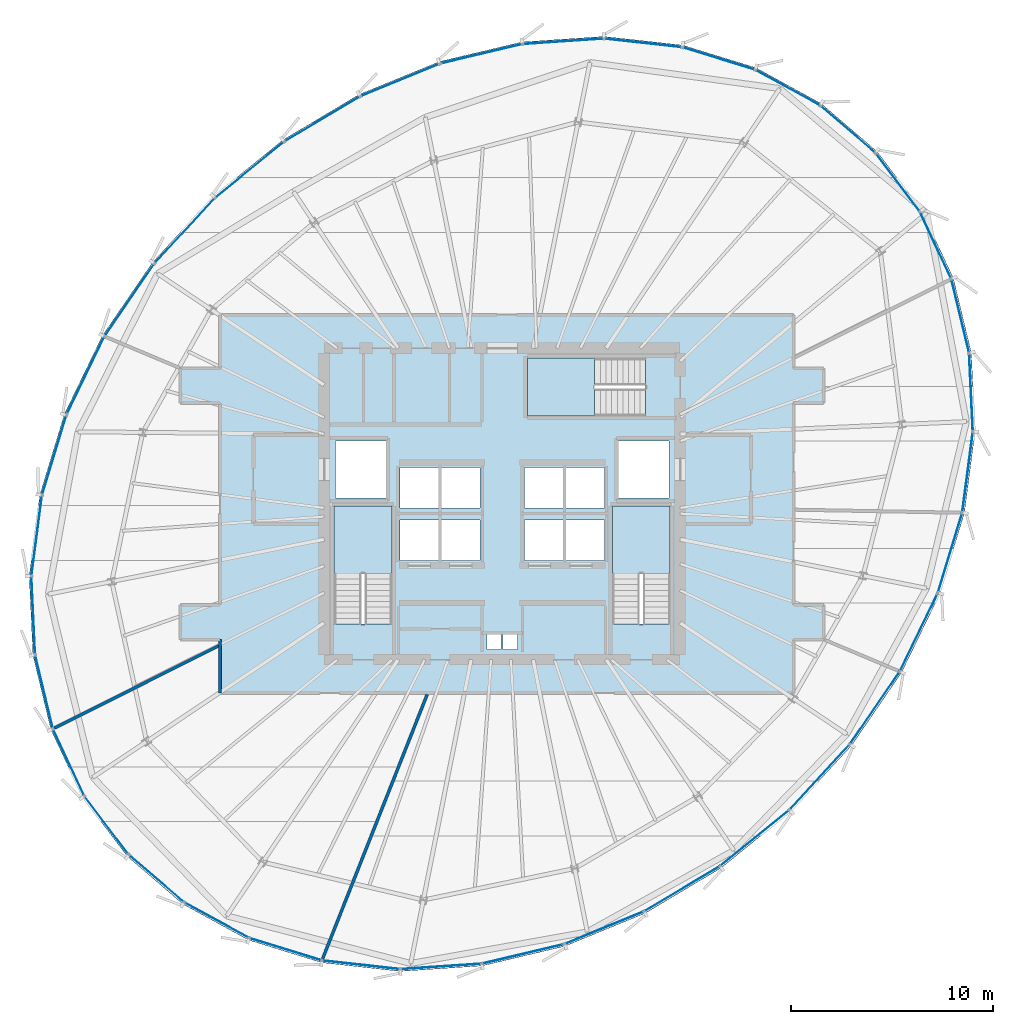
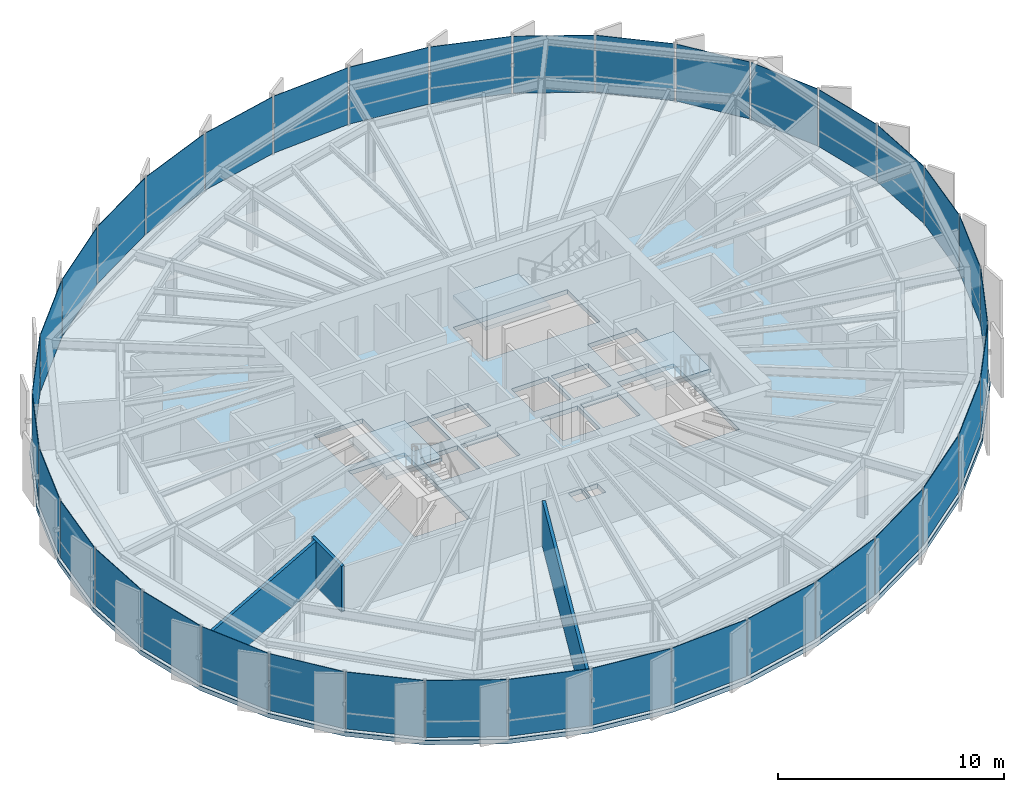
# One storey, part 28 of 34: 36 plates, 4 slabs, 3 walls, 9 elements without a shape of their own.
"""IFC4 building model written with IfcOpenShell, lengths in metres."""

from ifc_helpers import new_model, si_unit, direction, frame, frame_2d, origin, origin_2d, place, context, subcontext, project, spatial, polyline, rectangle, outline, extrude, source, transform, mapped, material, layer, layer_set, type_object, element, aggregate, save


model = new_model("IFC4")

# Units and contexts
model_context = context("Model", 3, precision=1e-05, world=origin(), true_north=direction((0.0, 1.0)))
body_context = subcontext(model_context, "Body", "Model", "MODEL_VIEW")
ifc_project = project(units=[si_unit("LENGTHUNIT", "METRE"), si_unit("AREAUNIT", "SQUARE_METRE"), si_unit("VOLUMEUNIT", "CUBIC_METRE"), si_unit("PLANEANGLEUNIT", "RADIAN"), si_unit("MASSUNIT", "GRAM", prefix="KILO"), si_unit("THERMODYNAMICTEMPERATUREUNIT", "KELVIN")], contexts=[model_context])

# Site, building, storey
site_placement = place(None, origin())
site = spatial("IfcSite", under=ifc_project, at=site_placement, CompositionType="ELEMENT")
building_placement = place(site_placement, origin())
building = spatial("IfcBuilding", under=site, at=building_placement, Name="Kethvar Cultural Tower", CompositionType="ELEMENT")
storey_placement = place(building_placement, frame((0.0, 0.0, 207.89990234375)))
storey = spatial("IfcBuildingStorey", under=building, at=storey_placement, Name="L54", CompositionType="ELEMENT", Elevation=207.89990234375)

# Stair, slab
ifc_material_1 = material(Name="Concrete C40/50", Category="concrete")
stair_type = type_object("IfcStairType", Name="ST-DOGLEG-135", PredefinedType="HALF_TURN_STAIR", material=ifc_material_1)
stair_1_placement = place(storey_placement, origin())
stair_1 = element("IfcStair", 1, at=stair_1_placement, inside=storey, type_object=stair_type, Name="L54 Core Exit Stair 1", PredefinedType="HALF_TURN_STAIR")
ifc_layer_1 = layer(ifc_material_1, 0.199951171875, Name="Concrete C40/50", Category="concrete")
ifc_layer_set_1 = layer_set([ifc_layer_1], Name="Concrete C40/50 (200 mm)")
slab_type_1 = type_object("IfcSlabType", Name="SL-STAIR-LANDING-200", PredefinedType="LANDING", material=ifc_layer_set_1)
slab_1_placement = place(storey_placement, frame((0.0, 0.0, 1.550048828125)))
slab_1 = element("IfcSlab", 2, at=slab_1_placement, type_object=slab_type_1, Name="ST-01 landing 1", PredefinedType="LANDING", context=body_context, shape_type="SweptSolid", body=[
    extrude(outline(polyline([(41.35009765625, 24.3701171875), (41.35009765625, 27.699951171875), (38.489990234375, 27.699951171875), (38.489990234375, 24.3701171875), (41.35009765625, 24.3701171875)])), origin(), (0.0, 0.0, 1.0), 0.199951171875),
])
aggregate(stair_1, [slab_1])

stair_2_placement = place(storey_placement, origin())
stair_2 = element("IfcStair", 3, at=stair_2_placement, inside=storey, type_object=stair_type, Name="L54 Core Exit Stair 2", PredefinedType="HALF_TURN_STAIR")
slab_2_placement = place(storey_placement, frame((0.0, 0.0, 1.550048828125)))
slab_2 = element("IfcSlab", 4, at=slab_2_placement, type_object=slab_type_1, Name="ST-02 landing 1", PredefinedType="LANDING", context=body_context, shape_type="SweptSolid", body=[
    extrude(outline(polyline([(55.110107421875, 24.3701171875), (55.110107421875, 27.699951171875), (52.25, 27.699951171875), (52.25, 24.3701171875), (55.110107421875, 24.3701171875)])), origin(), (0.0, 0.0, 1.0), 0.199951171875),
])
aggregate(stair_2, [slab_2])

stair_3_placement = place(storey_placement, origin())
stair_3 = element("IfcStair", 5, at=stair_3_placement, inside=storey, type_object=stair_type, Name="L54 Core Exit Stair 3", PredefinedType="HALF_TURN_STAIR")
slab_3_placement = place(storey_placement, frame((0.0, 0.0, 1.550048828125)))
slab_3 = element("IfcSlab", 6, at=slab_3_placement, type_object=slab_type_1, Name="ST-03 landing 1", PredefinedType="LANDING", context=body_context, shape_type="SweptSolid", body=[
    extrude(outline(polyline([(51.3798828125, 35.010009765625), (48.050048828125, 35.010009765625), (48.050048828125, 32.14990234375), (51.3798828125, 32.14990234375), (51.3798828125, 35.010009765625)])), origin(), (0.0, 0.0, 1.0), 0.199951171875),
])
aggregate(stair_3, [slab_3])

# Slab
ifc_layer_2 = layer(ifc_material_1, 0.239990234375, Name="Concrete C40/50", Category="concrete")
ifc_layer_set_2 = layer_set([ifc_layer_2], Name="Concrete C40/50 (240 mm)")
slab_type_2 = type_object("IfcSlabType", Name="SL-TOW-240", PredefinedType="FLOOR", material=ifc_layer_set_2)
slab_4_placement = place(storey_placement, frame((0.0, 0.0, -0.239990234375)))
element("IfcSlab", 7, at=slab_4_placement, inside=storey, type_object=slab_type_2, Name="L54 Structural Floor Slab", PredefinedType="FLOOR", context=body_context, shape_type="SweptSolid", body=[
    extrude(outline(polyline([(65.3525390625, 45.22216796875), (62.5908203125, 47.598388671875), (59.34912109375, 49.373291015625), (55.72607421875, 50.492431640625), (51.831787109375, 50.922119140625), (47.78466796875, 50.6494140625), (43.70751953125, 49.682373046875), (39.724609375, 48.050537109375), (35.956298828125, 45.80322265625), (32.517822265625, 43.009033203125), (29.51318359375, 39.752685546875), (27.03369140625, 36.133056640625), (25.155029296875, 32.26025390625), (23.933837890625, 28.252197265625), (23.407470703125, 24.22998046875), (23.591796875, 20.31640625), (24.4814453125, 16.63037109375), (26.04931640625, 13.28369140625), (28.247314453125, 10.3779296875), (31.00927734375, 8.001708984375), (34.2509765625, 6.226806640625), (37.8740234375, 5.107666015625), (41.768310546875, 4.677734375), (45.8154296875, 4.95068359375), (49.892333984375, 5.91748046875), (53.87548828125, 7.549560546875), (57.6435546875, 9.796875), (61.082275390625, 12.591064453125), (64.0869140625, 15.847412109375), (66.566162109375, 19.466796875), (68.445068359375, 23.339599609375), (69.666259765625, 27.347900390625), (70.1923828125, 31.369873046875), (70.008056640625, 35.283447265625), (69.11865234375, 38.969482421875), (67.55078125, 42.31640625), (65.3525390625, 45.22216796875)]), holes=[polyline([(38.489990234375, 21.85009765625), (38.489990234375, 27.699951171875), (41.35009765625, 27.699951171875), (41.35009765625, 21.85009765625), (38.489990234375, 21.85009765625)]), polyline([(52.25, 21.85009765625), (52.25, 27.699951171875), (55.110107421875, 27.699951171875), (55.110107421875, 21.85009765625), (52.25, 21.85009765625)]), polyline([(53.89990234375, 32.14990234375), (48.050048828125, 32.14990234375), (48.050048828125, 35.010009765625), (53.89990234375, 35.010009765625), (53.89990234375, 32.14990234375)]), polyline([(41.75, 27.0), (43.64990234375, 27.0), (43.64990234375, 25.0), (41.75, 25.0), (41.75, 27.0)]), polyline([(43.800048828125, 27.0), (45.699951171875, 27.0), (45.699951171875, 25.0), (43.800048828125, 25.0), (43.800048828125, 27.0)]), polyline([(47.89990234375, 27.0), (49.800048828125, 27.0), (49.800048828125, 25.0), (47.89990234375, 25.0), (47.89990234375, 27.0)]), polyline([(49.949951171875, 27.0), (51.85009765625, 27.0), (51.85009765625, 25.0), (49.949951171875, 25.0), (49.949951171875, 27.0)]), polyline([(41.75, 29.60009765625), (43.64990234375, 29.60009765625), (43.64990234375, 27.60009765625), (41.75, 27.60009765625), (41.75, 29.60009765625)]), polyline([(43.800048828125, 29.60009765625), (45.699951171875, 29.60009765625), (45.699951171875, 27.60009765625), (43.800048828125, 27.60009765625), (43.800048828125, 29.60009765625)]), polyline([(47.89990234375, 29.60009765625), (49.800048828125, 29.60009765625), (49.800048828125, 27.60009765625), (47.89990234375, 27.60009765625), (47.89990234375, 29.60009765625)]), polyline([(49.949951171875, 29.60009765625), (51.85009765625, 29.60009765625), (51.85009765625, 27.60009765625), (49.949951171875, 27.60009765625), (49.949951171875, 29.60009765625)]), polyline([(38.550048828125, 30.89990234375), (41.050048828125, 30.89990234375), (41.050048828125, 28.10009765625), (38.550048828125, 28.10009765625), (38.550048828125, 30.89990234375)]), polyline([(52.550048828125, 30.89990234375), (55.050048828125, 30.89990234375), (55.050048828125, 28.10009765625), (52.550048828125, 28.10009765625), (52.550048828125, 30.89990234375)]), polyline([(46.050048828125, 21.35009765625), (46.75, 21.35009765625), (46.75, 20.60009765625), (46.050048828125, 20.60009765625), (46.050048828125, 21.35009765625)]), polyline([(46.85009765625, 21.35009765625), (47.550048828125, 21.35009765625), (47.550048828125, 20.60009765625), (46.85009765625, 20.60009765625), (46.85009765625, 21.35009765625)])]), origin(), (0.0, 0.0, 1.0), 0.239990234375),
])

# Curtain wall, plates
ifc_material_2 = material(Name="Aluminium 6063-T6", Category="aluminium")
ifc_layer_3 = layer(ifc_material_2, 0.179931640625, Name="Aluminium 6063-T6", Category="aluminium")
ifc_layer_set_3 = layer_set([ifc_layer_3], Name="Aluminium 6063-T6 (180 mm)")
curtain_wall_type = type_object("IfcCurtainWallType", Name="CW-SYS-04-Z34", PredefinedType="NOTDEFINED", material=ifc_layer_set_3)
curtain_wall_1_placement = place(storey_placement, origin())
curtain_wall_1 = element("IfcCurtainWall", 8, at=curtain_wall_1_placement, inside=storey, type_object=curtain_wall_type, Name="L54 Curtain Wall Run 02", PredefinedType="NOTDEFINED")
ifc_material_3 = material(Name="Insulated Low-E Solar Glass", Category="glass")
ifc_layer_4 = layer(ifc_material_3, 0.030029296875, Name="Insulated Low-E Solar Glass", Category="glass")
ifc_layer_set_4 = layer_set([ifc_layer_4], Name="Insulated Low-E Solar Glass (30 mm)")
plate_type = type_object("IfcPlateType", Name="CW-SYS-04-Z34-PNL", PredefinedType="CURTAIN_PANEL", material=ifc_layer_set_4)
shared_shape_1 = source(origin(), body_context, "Body", "SweptSolid", [
    extrude(rectangle(XDim=4.30078125, YDim=0.030029296875, at=origin_2d()), origin(), (0.0, 0.0, 1.0), 3.080078125),
])
plate_1_placement = place(storey_placement, frame((37.896728515625, 46.83251953125, 0.090087890625), z_axis=(0.0, 0.0, 1.0), x_axis=(-0.858852636086, -0.512222753779, 0.0)))
plate_1 = element("IfcPlate", 9, at=plate_1_placement, type_object=plate_type, Name="CW-L54-R02 Vision Glazing Panel 2", PredefinedType="CURTAIN_PANEL", context=body_context, shape_type="MappedRepresentation", body=[
    mapped(shared_shape_1, transform((0.0, 0.0, 0.0), scale=1.0)),
])
plate_2_placement = place(storey_placement, frame((28.3642578125, 37.880615234375, 0.090087890625), z_axis=(0.0, 0.0, 1.0), x_axis=(-0.5651398024, -0.82499515377, 0.0)))
plate_2 = element("IfcPlate", 10, at=plate_2_placement, type_object=plate_type, Name="CW-L54-R02 Vision Glazing Panel 5", PredefinedType="CURTAIN_PANEL", context=body_context, shape_type="MappedRepresentation", body=[
    mapped(shared_shape_1, transform((0.0, 0.0, 0.0), scale=1.0)),
])

curtain_wall_2_placement = place(storey_placement, origin())
curtain_wall_2 = element("IfcCurtainWall", 11, at=curtain_wall_2_placement, inside=storey, type_object=curtain_wall_type, Name="L54 Curtain Wall Run 05", PredefinedType="NOTDEFINED")
plate_3_placement = place(storey_placement, frame((55.703125, 8.767578125, 0.090087890625), z_axis=(0.0, 0.0, 1.0), x_axis=(0.858852636086, 0.512222753779, 0.0)))
plate_3 = element("IfcPlate", 12, at=plate_3_placement, type_object=plate_type, Name="CW-L54-R05 Vision Glazing Panel 2", PredefinedType="CURTAIN_PANEL", context=body_context, shape_type="MappedRepresentation", body=[
    mapped(shared_shape_1, transform((0.0, 0.0, 0.0), scale=1.0)),
])
plate_4_placement = place(storey_placement, frame((65.235595703125, 17.71923828125, 0.090087890625), z_axis=(0.0, 0.0, 1.0), x_axis=(0.5651398024, 0.82499515377, 0.0)))
plate_4 = element("IfcPlate", 13, at=plate_4_placement, type_object=plate_type, Name="CW-L54-R05 Vision Glazing Panel 5", PredefinedType="CURTAIN_PANEL", context=body_context, shape_type="MappedRepresentation", body=[
    mapped(shared_shape_1, transform((0.0, 0.0, 0.0), scale=1.0)),
])

# Curtain wall, plate
curtain_wall_3_placement = place(storey_placement, origin())
curtain_wall_3 = element("IfcCurtainWall", 14, at=curtain_wall_3_placement, inside=storey, type_object=curtain_wall_type, Name="L54 Curtain Wall Run 01", PredefinedType="NOTDEFINED")
shared_shape_2 = source(origin(), body_context, "Body", "SweptSolid", [
    extrude(rectangle(XDim=3.556884765625, YDim=0.030029296875, at=origin_2d()), origin(), (0.0, 0.0, 1.0), 3.080078125),
])
plate_5_placement = place(storey_placement, frame((63.89990234375, 46.326904296875, 0.090087890625), z_axis=(0.0, 0.0, 1.0), x_axis=(-0.758043278694, 0.652204252996, 0.0)))
plate_5 = element("IfcPlate", 15, at=plate_5_placement, type_object=plate_type, Name="CW-L54-R01 Vision Glazing Panel 1", PredefinedType="CURTAIN_PANEL", context=body_context, shape_type="MappedRepresentation", body=[
    mapped(shared_shape_2, transform((0.0, 0.0, 0.0), scale=1.0)),
])

curtain_wall_4_placement = place(storey_placement, origin())
curtain_wall_4 = element("IfcCurtainWall", 16, at=curtain_wall_4_placement, inside=storey, type_object=curtain_wall_type, Name="L54 Curtain Wall Run 04", PredefinedType="NOTDEFINED")
plate_6_placement = place(storey_placement, frame((29.7001953125, 9.273193359375, 0.090087890625), z_axis=(0.0, 0.0, 1.0), x_axis=(0.758043278694, -0.652204252996, 0.0)))
plate_6 = element("IfcPlate", 17, at=plate_6_placement, type_object=plate_type, Name="CW-L54-R04 Vision Glazing Panel 1", PredefinedType="CURTAIN_PANEL", context=body_context, shape_type="MappedRepresentation", body=[
    mapped(shared_shape_2, transform((0.0, 0.0, 0.0), scale=1.0)),
])

# Plate
shared_shape_3 = source(origin(), body_context, "Body", "SweptSolid", [
    extrude(rectangle(XDim=3.609375, YDim=0.030029296875, at=origin_2d()), origin(), (0.0, 0.0, 1.0), 3.080078125),
])
plate_7_placement = place(storey_placement, frame((60.9169921875, 48.389404296875, 0.090087890625), z_axis=(0.0, 0.0, 1.0), x_axis=(-0.877146163706, 0.480223497443, 0.0)))
plate_7 = element("IfcPlate", 18, at=plate_7_placement, type_object=plate_type, Name="CW-L54-R01 Vision Glazing Panel 2", PredefinedType="CURTAIN_PANEL", context=body_context, shape_type="MappedRepresentation", body=[
    mapped(shared_shape_3, transform((0.0, 0.0, 0.0), scale=1.0)),
])

# Curtain wall, plate
curtain_wall_5_placement = place(storey_placement, origin())
curtain_wall_5 = element("IfcCurtainWall", 19, at=curtain_wall_5_placement, inside=storey, type_object=curtain_wall_type, Name="L54 Curtain Wall Run 03", PredefinedType="NOTDEFINED")
plate_8_placement = place(storey_placement, frame((25.364990234375, 15.003662109375, 0.090087890625), z_axis=(0.0, 0.0, 1.0), x_axis=(0.424215227838, -0.905561395197, 0.0)))
plate_8 = element("IfcPlate", 20, at=plate_8_placement, type_object=plate_type, Name="CW-L54-R03 Vision Glazing Panel 5", PredefinedType="CURTAIN_PANEL", context=body_context, shape_type="MappedRepresentation", body=[
    mapped(shared_shape_3, transform((0.0, 0.0, 0.0), scale=1.0)),
])

# Plate
plate_9_placement = place(storey_placement, frame((32.68310546875, 7.210693359375, 0.090087890625), z_axis=(0.0, 0.0, 1.0), x_axis=(0.877146163706, -0.480223497443, 0.0)))
plate_9 = element("IfcPlate", 21, at=plate_9_placement, type_object=plate_type, Name="CW-L54-R04 Vision Glazing Panel 2", PredefinedType="CURTAIN_PANEL", context=body_context, shape_type="MappedRepresentation", body=[
    mapped(shared_shape_3, transform((0.0, 0.0, 0.0), scale=1.0)),
])

# Curtain wall, plate
curtain_wall_6_placement = place(storey_placement, origin())
curtain_wall_6 = element("IfcCurtainWall", 22, at=curtain_wall_6_placement, inside=storey, type_object=curtain_wall_type, Name="L54 Curtain Wall Run 06", PredefinedType="NOTDEFINED")
plate_10_placement = place(storey_placement, frame((68.235107421875, 40.596435546875, 0.090087890625), z_axis=(0.0, 0.0, 1.0), x_axis=(-0.424215227838, 0.905561395197, 0.0)))
plate_10 = element("IfcPlate", 23, at=plate_10_placement, type_object=plate_type, Name="CW-L54-R06 Vision Glazing Panel 5", PredefinedType="CURTAIN_PANEL", context=body_context, shape_type="MappedRepresentation", body=[
    mapped(shared_shape_3, transform((0.0, 0.0, 0.0), scale=1.0)),
])

# Plate
shared_shape_4 = source(origin(), body_context, "Body", "SweptSolid", [
    extrude(rectangle(XDim=3.70556640625, YDim=0.030029296875, at=origin_2d()), origin(), (0.0, 0.0, 1.0), 3.080078125),
])
plate_11_placement = place(storey_placement, frame((57.5048828125, 49.82763671875, 0.090087890625), z_axis=(0.0, 0.0, 1.0), x_axis=(-0.955448519277, 0.295157800188, 0.0)))
plate_11 = element("IfcPlate", 24, at=plate_11_placement, type_object=plate_type, Name="CW-L54-R01 Vision Glazing Panel 3", PredefinedType="CURTAIN_PANEL", context=body_context, shape_type="MappedRepresentation", body=[
    mapped(shared_shape_4, transform((0.0, 0.0, 0.0), scale=1.0)),
])

plate_12_placement = place(storey_placement, frame((24.1435546875, 18.499267578125, 0.090087890625), z_axis=(0.0, 0.0, 1.0), x_axis=(0.234582264783, -0.972096271492, 0.0)))
plate_12 = element("IfcPlate", 25, at=plate_12_placement, type_object=plate_type, Name="CW-L54-R03 Vision Glazing Panel 4", PredefinedType="CURTAIN_PANEL", context=body_context, shape_type="MappedRepresentation", body=[
    mapped(shared_shape_4, transform((0.0, 0.0, 0.0), scale=1.0)),
])

plate_13_placement = place(storey_placement, frame((36.094970703125, 5.772216796875, 0.090087890625), z_axis=(0.0, 0.0, 1.0), x_axis=(0.955448519277, -0.295157800188, 0.0)))
plate_13 = element("IfcPlate", 26, at=plate_13_placement, type_object=plate_type, Name="CW-L54-R04 Vision Glazing Panel 3", PredefinedType="CURTAIN_PANEL", context=body_context, shape_type="MappedRepresentation", body=[
    mapped(shared_shape_4, transform((0.0, 0.0, 0.0), scale=1.0)),
])

plate_14_placement = place(storey_placement, frame((69.456298828125, 37.100830078125, 0.090087890625), z_axis=(0.0, 0.0, 1.0), x_axis=(-0.234582264783, 0.972096271492, 0.0)))
plate_14 = element("IfcPlate", 27, at=plate_14_placement, type_object=plate_type, Name="CW-L54-R06 Vision Glazing Panel 4", PredefinedType="CURTAIN_PANEL", context=body_context, shape_type="MappedRepresentation", body=[
    mapped(shared_shape_4, transform((0.0, 0.0, 0.0), scale=1.0)),
])

shared_shape_5 = source(origin(), body_context, "Body", "SweptSolid", [
    extrude(rectangle(XDim=3.83154296875, YDim=0.030029296875, at=origin_2d()), origin(), (0.0, 0.0, 1.0), 3.080078125),
])
plate_15_placement = place(storey_placement, frame((53.766845703125, 50.597900390625, 0.090087890625), z_axis=(0.0, 0.0, 1.0), x_axis=(-0.9939647853, 0.109699615242, 0.0)))
plate_15 = element("IfcPlate", 28, at=plate_15_placement, type_object=plate_type, Name="CW-L54-R01 Vision Glazing Panel 4", PredefinedType="CURTAIN_PANEL", context=body_context, shape_type="MappedRepresentation", body=[
    mapped(shared_shape_5, transform((0.0, 0.0, 0.0), scale=1.0)),
])

plate_16_placement = place(storey_placement, frame((23.609619140625, 22.2783203125, 0.090087890625), z_axis=(0.0, 0.0, 1.0), x_axis=(0.047071582847, -0.998891518679, 0.0)))
plate_16 = element("IfcPlate", 29, at=plate_16_placement, type_object=plate_type, Name="CW-L54-R03 Vision Glazing Panel 3", PredefinedType="CURTAIN_PANEL", context=body_context, shape_type="MappedRepresentation", body=[
    mapped(shared_shape_5, transform((0.0, 0.0, 0.0), scale=1.0)),
])

plate_17_placement = place(storey_placement, frame((39.833251953125, 5.002197265625, 0.090087890625), z_axis=(0.0, 0.0, 1.0), x_axis=(0.9939647853, -0.109699615242, 0.0)))
plate_17 = element("IfcPlate", 30, at=plate_17_placement, type_object=plate_type, Name="CW-L54-R04 Vision Glazing Panel 4", PredefinedType="CURTAIN_PANEL", context=body_context, shape_type="MappedRepresentation", body=[
    mapped(shared_shape_5, transform((0.0, 0.0, 0.0), scale=1.0)),
])

plate_18_placement = place(storey_placement, frame((69.990478515625, 33.321533203125, 0.090087890625), z_axis=(0.0, 0.0, 1.0), x_axis=(-0.047071582847, 0.998891518679, 0.0)))
plate_18 = element("IfcPlate", 31, at=plate_18_placement, type_object=plate_type, Name="CW-L54-R06 Vision Glazing Panel 3", PredefinedType="CURTAIN_PANEL", context=body_context, shape_type="MappedRepresentation", body=[
    mapped(shared_shape_5, transform((0.0, 0.0, 0.0), scale=1.0)),
])

shared_shape_6 = source(origin(), body_context, "Body", "SweptSolid", [
    extrude(rectangle(XDim=3.969970703125, YDim=0.030029296875, at=origin_2d()), origin(), (0.0, 0.0, 1.0), 3.080078125),
])
plate_19_placement = place(storey_placement, frame((49.815673828125, 50.676025390625, 0.090087890625), z_axis=(0.0, 0.0, 1.0), x_axis=(-0.997736216637, -0.06724910416, 0.0)))
plate_19 = element("IfcPlate", 32, at=plate_19_placement, type_object=plate_type, Name="CW-L54-R01 Vision Glazing Panel 5", PredefinedType="CURTAIN_PANEL", context=body_context, shape_type="MappedRepresentation", body=[
    mapped(shared_shape_6, transform((0.0, 0.0, 0.0), scale=1.0)),
])

plate_20_placement = place(storey_placement, frame((23.77978515625, 26.226806640625, 0.090087890625), z_axis=(0.0, 0.0, 1.0), x_axis=(-0.129747473069, -0.991547070608, 0.0)))
plate_20 = element("IfcPlate", 33, at=plate_20_placement, type_object=plate_type, Name="CW-L54-R03 Vision Glazing Panel 2", PredefinedType="CURTAIN_PANEL", context=body_context, shape_type="MappedRepresentation", body=[
    mapped(shared_shape_6, transform((0.0, 0.0, 0.0), scale=1.0)),
])

plate_21_placement = place(storey_placement, frame((43.784423828125, 4.923828125, 0.090087890625), z_axis=(0.0, 0.0, 1.0), x_axis=(0.997736216637, 0.06724910416, 0.0)))
plate_21 = element("IfcPlate", 34, at=plate_21_placement, type_object=plate_type, Name="CW-L54-R04 Vision Glazing Panel 5", PredefinedType="CURTAIN_PANEL", context=body_context, shape_type="MappedRepresentation", body=[
    mapped(shared_shape_6, transform((0.0, 0.0, 0.0), scale=1.0)),
])

plate_22_placement = place(storey_placement, frame((69.8203125, 29.373291015625, 0.090087890625), z_axis=(0.0, 0.0, 1.0), x_axis=(0.129747473069, 0.991547070608, 0.0)))
plate_22 = element("IfcPlate", 35, at=plate_22_placement, type_object=plate_type, Name="CW-L54-R06 Vision Glazing Panel 2", PredefinedType="CURTAIN_PANEL", context=body_context, shape_type="MappedRepresentation", body=[
    mapped(shared_shape_6, transform((0.0, 0.0, 0.0), scale=1.0)),
])

shared_shape_7 = source(origin(), body_context, "Body", "SweptSolid", [
    extrude(rectangle(XDim=4.103759765625, YDim=0.030029296875, at=origin_2d()), origin(), (0.0, 0.0, 1.0), 3.080078125),
])
plate_23_placement = place(storey_placement, frame((45.771484375, 50.058837890625, 0.090087890625), z_axis=(0.0, 0.0, 1.0), x_axis=(-0.973005948337, -0.230780034881, 0.0)))
plate_23 = element("IfcPlate", 36, at=plate_23_placement, type_object=plate_type, Name="CW-L54-R01 Vision Glazing Panel 6", PredefinedType="CURTAIN_PANEL", context=body_context, shape_type="MappedRepresentation", body=[
    mapped(shared_shape_7, transform((0.0, 0.0, 0.0), scale=1.0)),
])

aggregate(curtain_wall_3, [plate_5, plate_7, plate_11, plate_15, plate_19, plate_23])

plate_24_placement = place(storey_placement, frame((24.649658203125, 30.22412109375, 0.090087890625), z_axis=(0.0, 0.0, 1.0), x_axis=(-0.291453583493, -0.956584972007, 0.0)))
plate_24 = element("IfcPlate", 37, at=plate_24_placement, type_object=plate_type, Name="CW-L54-R03 Vision Glazing Panel 1", PredefinedType="CURTAIN_PANEL", context=body_context, shape_type="MappedRepresentation", body=[
    mapped(shared_shape_7, transform((0.0, 0.0, 0.0), scale=1.0)),
])

plate_25_placement = place(storey_placement, frame((47.82861328125, 5.541259765625, 0.090087890625), z_axis=(0.0, 0.0, 1.0), x_axis=(0.973005948337, 0.230780034881, 0.0)))
plate_25 = element("IfcPlate", 38, at=plate_25_placement, type_object=plate_type, Name="CW-L54-R04 Vision Glazing Panel 6", PredefinedType="CURTAIN_PANEL", context=body_context, shape_type="MappedRepresentation", body=[
    mapped(shared_shape_7, transform((0.0, 0.0, 0.0), scale=1.0)),
])

aggregate(curtain_wall_4, [plate_6, plate_9, plate_13, plate_17, plate_21, plate_25])

plate_26_placement = place(storey_placement, frame((68.950439453125, 25.375732421875, 0.090087890625), z_axis=(0.0, 0.0, 1.0), x_axis=(0.291453583493, 0.956584972007, 0.0)))
plate_26 = element("IfcPlate", 39, at=plate_26_placement, type_object=plate_type, Name="CW-L54-R06 Vision Glazing Panel 1", PredefinedType="CURTAIN_PANEL", context=body_context, shape_type="MappedRepresentation", body=[
    mapped(shared_shape_7, transform((0.0, 0.0, 0.0), scale=1.0)),
])

shared_shape_8 = source(origin(), body_context, "Body", "SweptSolid", [
    extrude(rectangle(XDim=4.218017578125, YDim=0.030029296875, at=origin_2d()), origin(), (0.0, 0.0, 1.0), 3.080078125),
])
plate_27_placement = place(storey_placement, frame((41.7578125, 48.7646484375, 0.090087890625), z_axis=(0.0, 0.0, 1.0), x_axis=(-0.925348734184, -0.379117026976, 0.0)))
plate_27 = element("IfcPlate", 40, at=plate_27_placement, type_object=plate_type, Name="CW-L54-R02 Vision Glazing Panel 1", PredefinedType="CURTAIN_PANEL", context=body_context, shape_type="MappedRepresentation", body=[
    mapped(shared_shape_8, transform((0.0, 0.0, 0.0), scale=1.0)),
])

plate_28_placement = place(storey_placement, frame((26.193359375, 34.148681640625, 0.090087890625), z_axis=(0.0, 0.0, 1.0), x_axis=(-0.43647205389, -0.899717814747, 0.0)))
plate_28 = element("IfcPlate", 41, at=plate_28_placement, type_object=plate_type, Name="CW-L54-R02 Vision Glazing Panel 6", PredefinedType="CURTAIN_PANEL", context=body_context, shape_type="MappedRepresentation", body=[
    mapped(shared_shape_8, transform((0.0, 0.0, 0.0), scale=1.0)),
])

plate_29_placement = place(storey_placement, frame((51.84228515625, 6.83544921875, 0.090087890625), z_axis=(0.0, 0.0, 1.0), x_axis=(0.925348734184, 0.379117026976, 0.0)))
plate_29 = element("IfcPlate", 42, at=plate_29_placement, type_object=plate_type, Name="CW-L54-R05 Vision Glazing Panel 1", PredefinedType="CURTAIN_PANEL", context=body_context, shape_type="MappedRepresentation", body=[
    mapped(shared_shape_8, transform((0.0, 0.0, 0.0), scale=1.0)),
])

plate_30_placement = place(storey_placement, frame((67.406494140625, 21.451416015625, 0.090087890625), z_axis=(0.0, 0.0, 1.0), x_axis=(0.43647205389, 0.899717814747, 0.0)))
plate_30 = element("IfcPlate", 43, at=plate_30_placement, type_object=plate_type, Name="CW-L54-R05 Vision Glazing Panel 6", PredefinedType="CURTAIN_PANEL", context=body_context, shape_type="MappedRepresentation", body=[
    mapped(shared_shape_8, transform((0.0, 0.0, 0.0), scale=1.0)),
])

shared_shape_9 = source(origin(), body_context, "Body", "SweptSolid", [
    extrude(rectangle(XDim=4.34423828125, YDim=0.030029296875, at=origin_2d()), origin(), (0.0, 0.0, 1.0), 3.080078125),
])
plate_31_placement = place(storey_placement, frame((34.306396484375, 44.32080078125, 0.090087890625), z_axis=(0.0, 0.0, 1.0), x_axis=(-0.776079428111, -0.630635172872, 0.0)))
plate_31 = element("IfcPlate", 44, at=plate_31_placement, type_object=plate_type, Name="CW-L54-R02 Vision Glazing Panel 3", PredefinedType="CURTAIN_PANEL", context=body_context, shape_type="MappedRepresentation", body=[
    mapped(shared_shape_9, transform((0.0, 0.0, 0.0), scale=1.0)),
])

plate_32_placement = place(storey_placement, frame((59.29345703125, 11.279296875, 0.090087890625), z_axis=(0.0, 0.0, 1.0), x_axis=(0.776079428111, 0.630635172872, 0.0)))
plate_32 = element("IfcPlate", 45, at=plate_32_placement, type_object=plate_type, Name="CW-L54-R05 Vision Glazing Panel 3", PredefinedType="CURTAIN_PANEL", context=body_context, shape_type="MappedRepresentation", body=[
    mapped(shared_shape_9, transform((0.0, 0.0, 0.0), scale=1.0)),
])

shared_shape_10 = source(origin(), body_context, "Body", "SweptSolid", [
    extrude(rectangle(XDim=4.344482421875, YDim=0.030029296875, at=origin_2d()), origin(), (0.0, 0.0, 1.0), 3.080078125),
])
plate_33_placement = place(storey_placement, frame((31.09619140625, 41.306396484375, 0.090087890625), z_axis=(0.0, 0.0, 1.0), x_axis=(-0.6781211889, -0.7349501025, 0.0)))
plate_33 = element("IfcPlate", 46, at=plate_33_placement, type_object=plate_type, Name="CW-L54-R02 Vision Glazing Panel 4", PredefinedType="CURTAIN_PANEL", context=body_context, shape_type="MappedRepresentation", body=[
    mapped(shared_shape_10, transform((0.0, 0.0, 0.0), scale=1.0)),
])

aggregate(curtain_wall_1, [plate_27, plate_1, plate_31, plate_33, plate_2, plate_28])

plate_34_placement = place(storey_placement, frame((62.503662109375, 14.293701171875, 0.090087890625), z_axis=(0.0, 0.0, 1.0), x_axis=(0.6781211889, 0.7349501025, 0.0)))
plate_34 = element("IfcPlate", 47, at=plate_34_placement, type_object=plate_type, Name="CW-L54-R05 Vision Glazing Panel 4", PredefinedType="CURTAIN_PANEL", context=body_context, shape_type="MappedRepresentation", body=[
    mapped(shared_shape_10, transform((0.0, 0.0, 0.0), scale=1.0)),
])

aggregate(curtain_wall_2, [plate_29, plate_3, plate_32, plate_34, plate_4, plate_30])

shared_shape_11 = source(origin(), body_context, "Body", "SweptSolid", [
    extrude(rectangle(XDim=3.55712890625, YDim=0.030029296875, at=origin_2d()), origin(), (0.0, 0.0, 1.0), 3.080078125),
])
plate_35_placement = place(storey_placement, frame((27.236083984375, 11.897216796875, 0.090087890625), z_axis=(0.0, 0.0, 1.0), x_axis=(0.60331934559, -0.797499697327, 0.0)))
plate_35 = element("IfcPlate", 48, at=plate_35_placement, type_object=plate_type, Name="CW-L54-R03 Vision Glazing Panel 6", PredefinedType="CURTAIN_PANEL", context=body_context, shape_type="MappedRepresentation", body=[
    mapped(shared_shape_11, transform((0.0, 0.0, 0.0), scale=1.0)),
])

aggregate(curtain_wall_5, [plate_24, plate_20, plate_16, plate_12, plate_8, plate_35])

plate_36_placement = place(storey_placement, frame((66.364013671875, 43.702880859375, 0.090087890625), z_axis=(0.0, 0.0, 1.0), x_axis=(-0.60331934559, 0.797499697327, 0.0)))
plate_36 = element("IfcPlate", 49, at=plate_36_placement, type_object=plate_type, Name="CW-L54-R06 Vision Glazing Panel 6", PredefinedType="CURTAIN_PANEL", context=body_context, shape_type="MappedRepresentation", body=[
    mapped(shared_shape_11, transform((0.0, 0.0, 0.0), scale=1.0)),
])

aggregate(curtain_wall_6, [plate_26, plate_22, plate_18, plate_14, plate_10, plate_36])

# Walls
ifc_material_4 = material(Name="Gypsum Fireboard Partition")
ifc_layer_5 = layer(ifc_material_4, 0.14990234375, Name="Gypsum Fireboard Partition")
ifc_layer_set_5 = layer_set([ifc_layer_5], Name="Gypsum Fireboard Partition (150 mm)")
wall_type_1 = type_object("IfcWallType", Name="WL-FIRE-150", PredefinedType="PARTITIONING", material=ifc_layer_set_5)
wall_1_placement = place(storey_placement, frame((32.85009765625, 21.10009765625, 0.0), z_axis=(0.0, 0.0, 1.0), x_axis=(0.0, -1.0, 0.0)))
element("IfcWall", 50, at=wall_1_placement, inside=storey, type_object=wall_type_1, Name="L54 Corridor Rated Wall W1", PredefinedType="PARTITIONING", context=body_context, shape_type="SweptSolid", body=[
    extrude(rectangle(XDim=2.650146484375, YDim=0.14990234375, at=frame_2d((1.3251953125, 0.0))), origin(), (0.0, 0.0, 1.0), 2.455078125),
])
ifc_material_5 = material(Name="Gypsum Acoustic Partition")
ifc_layer_6 = layer(ifc_material_5, 0.14990234375, Name="Gypsum Acoustic Partition")
ifc_layer_set_6 = layer_set([ifc_layer_6], Name="Gypsum Acoustic Partition (150 mm)")
wall_type_2 = type_object("IfcWallType", Name="WL-PART-150", PredefinedType="PARTITIONING", material=ifc_layer_set_6)
wall_2_placement = place(storey_placement, frame((32.778564453125, 20.78271484375, 0.0), z_axis=(0.0, 0.0, 1.0), x_axis=(-0.894120064927, -0.447827321068, 0.0)))
element("IfcWall", 51, at=wall_2_placement, inside=storey, type_object=wall_type_2, Name="L54 Radial Partition Wall 01", PredefinedType="PARTITIONING", context=body_context, shape_type="SweptSolid", body=[
    extrude(rectangle(XDim=9.068359375, YDim=0.14990234375, at=frame_2d((4.5341796875, 0.0))), origin(), (0.0, 0.0, 1.0), 2.455078125),
])
wall_3_placement = place(storey_placement, frame((43.0927734375, 18.37548828125, 0.0), z_axis=(0.0, 0.0, 1.0), x_axis=(-0.367931094087, -0.929853058286, 0.0)))
element("IfcWall", 52, at=wall_3_placement, inside=storey, type_object=wall_type_2, Name="L54 Radial Partition Wall 02", PredefinedType="PARTITIONING", context=body_context, shape_type="SweptSolid", body=[
    extrude(rectangle(XDim=14.05126953125, YDim=0.14990234375, at=frame_2d((7.025634765625, 0.0))), origin(), (0.0, 0.0, 1.0), 2.455078125),
])

save(model, "model.ifc")
